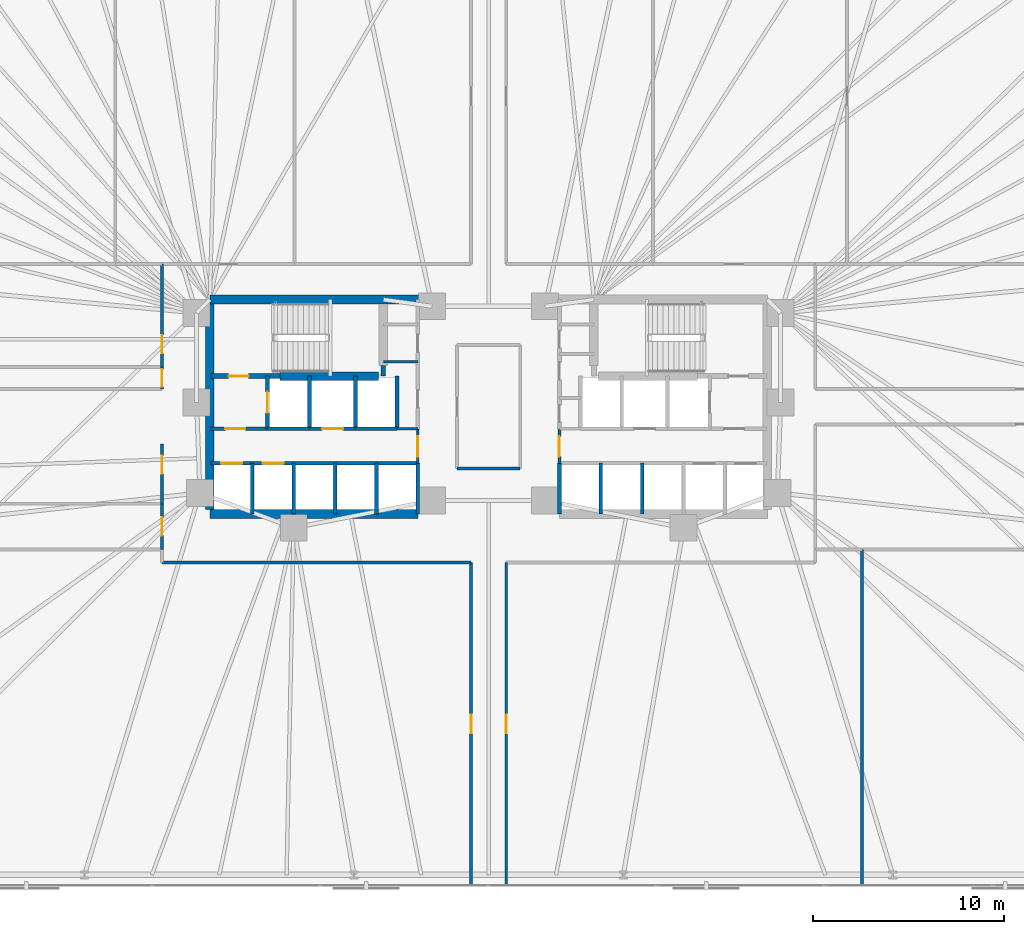
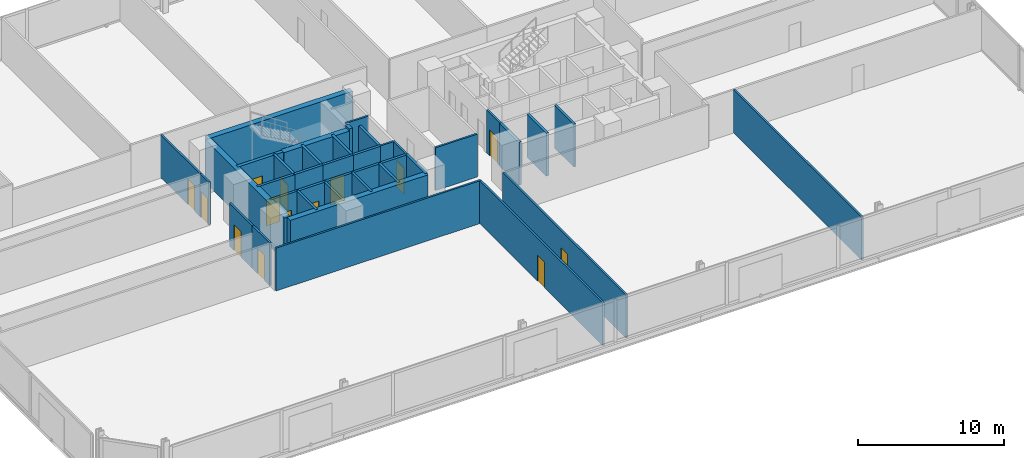
# One storey, part 12 of 16: 36 walls, 14 doors, 14 openings.
"""IFC4 building model written with IfcOpenShell, lengths in metres."""

from ifc_helpers import new_model, si_unit, direction, frame, frame_2d, origin, place, context, subcontext, project, spatial, rectangle, extrude, material, layer, layer_set, type_object, element, fill, save


model = new_model("IFC4")

# Units and contexts
model_context = context("Model", 3, precision=1e-05, world=origin(), true_north=direction((0.0, 1.0)))
body_context = subcontext(model_context, "Body", "Model", "MODEL_VIEW")
ifc_project = project(units=[si_unit("LENGTHUNIT", "METRE"), si_unit("AREAUNIT", "SQUARE_METRE"), si_unit("VOLUMEUNIT", "CUBIC_METRE"), si_unit("PLANEANGLEUNIT", "RADIAN"), si_unit("MASSUNIT", "GRAM", prefix="KILO")], contexts=[model_context])

# Site, building, storey
site_placement = place(None, origin())
site = spatial("IfcSite", under=ifc_project, at=site_placement, CompositionType="ELEMENT")
building_placement = place(site_placement, origin())
building = spatial("IfcBuilding", under=site, at=building_placement, Name="Menara Jurai Vektor", CompositionType="ELEMENT")
storey_placement = place(building_placement, frame((0.0, 0.0, 33.199951171875)))
storey = spatial("IfcBuildingStorey", under=building, at=storey_placement, Name="L07", CompositionType="ELEMENT", Elevation=33.199951171875)

# Wall, opening, door
ifc_material_1 = material(Name="Concrete C40/50", Category="concrete")
ifc_layer_1 = layer(ifc_material_1, 0.25)
ifc_layer_set_1 = layer_set([ifc_layer_1], Name="Concrete C40/50")
wall_type_1 = type_object("IfcWallType", Name="INT-WALL-CORE-250", PredefinedType="STANDARD", material=ifc_layer_set_1)
wall_1_placement = place(storey_placement, frame((-14.5, 1.60009765625, 0.0), z_axis=(0.0, 0.0, 1.0), x_axis=(1.0, 0.0, 0.0)))
wall_1 = element("IfcWall", 1, at=wall_1_placement, inside=storey, type_object=wall_type_1, Name="Interior Wall IW-250 L07", PredefinedType="STANDARD", context=body_context, shape_type="SweptSolid", body=[
    extrude(rectangle(XDim=3.60009765625, YDim=0.25, at=frame_2d((1.800048828125, 0.0))), origin(), (0.0, 0.0, 1.0), 3.574951171875),
])
opening_1_placement = place(wall_1_placement, frame((0.919921875, 0.0, 0.0)))
opening_1 = element("IfcOpeningElement", 2, at=opening_1_placement, cuts=wall_1, Name="Opening D-L07-ST1", PredefinedType="OPENING", context=body_context, shape_type="SweptSolid", body=[
    extrude(rectangle(XDim=1.050048828125, YDim=2.14990234375, at=frame_2d((0.52490234375, 1.074951171875))), frame((0.0, 0.135009765625, 0.0), z_axis=(0.0, -1.0, 0.0), x_axis=(1.0, 0.0, 0.0)), (0.0, 0.0, 1.0), 0.27001953125),
])
ifc_material_2 = material(Name="Fire-Rated Steel Door", Category="steel")
door_type_1 = type_object("IfcDoorType", Name="DR-STAIR-1050", OperationType="NOTDEFINED", PredefinedType="DOOR", material=ifc_material_2)
door_1_placement = place(opening_1_placement, origin())
door_1 = element("IfcDoor", 3, at=door_1_placement, inside=storey, type_object=door_type_1, Name="Exit Stair ST1 Door L07", OperationType="SINGLE_SWING_RIGHT", OverallHeight=2.14990234375, OverallWidth=1.050048828125, PredefinedType="DOOR", context=body_context, shape_type="SweptSolid", body=[
    extrude(rectangle(XDim=1.050048828125, YDim=2.14990234375, at=frame_2d((0.52490234375, 1.074951171875))), frame((0.0, 0.02490234375, 0.0), z_axis=(0.0, -1.0, 0.0), x_axis=(1.0, 0.0, 0.0)), (0.0, 0.0, 1.0), 0.050048828125),
])
fill(opening_1, door_1)

# Wall
wall_2_placement = place(storey_placement, frame((-5.5, 1.60009765625, 0.0), z_axis=(0.0, 0.0, 1.0), x_axis=(0.0, 1.0, 0.0)))
element("IfcWall", 4, at=wall_2_placement, inside=storey, type_object=wall_type_1, Name="Interior Wall IW-250 L07", PredefinedType="STANDARD", context=body_context, shape_type="SweptSolid", body=[
    extrude(rectangle(XDim=0.5498046875, YDim=0.25, at=frame_2d((0.27490234375, 0.0))), origin(), (0.0, 0.0, 1.0), 3.574951171875),
])

# Wall, opening, door
wall_3_placement = place(storey_placement, frame((-11.550048828125, -1.14990234375, 0.0), z_axis=(0.0, 0.0, 1.0), x_axis=(0.0, 1.0, 0.0)))
wall_3 = element("IfcWall", 5, at=wall_3_placement, inside=storey, type_object=wall_type_1, Name="Interior Wall IW-250 L07", PredefinedType="STANDARD", context=body_context, shape_type="SweptSolid", body=[
    extrude(rectangle(XDim=2.75, YDim=0.199951171875, at=frame_2d((1.375, 0.0))), origin(), (0.0, 0.0, 1.0), 3.574951171875),
])
opening_2_placement = place(wall_3_placement, frame((0.824951171875, 0.0, 0.0)))
opening_2 = element("IfcOpeningElement", 6, at=opening_2_placement, cuts=wall_3, Name="Opening LD-L07-FL1", PredefinedType="OPENING", context=body_context, shape_type="SweptSolid", body=[
    extrude(rectangle(XDim=1.10009765625, YDim=2.14990234375, at=frame_2d((0.550048828125, 1.074951171875))), frame((0.0, 0.10986328125, 0.0), z_axis=(0.0, -1.0, 0.0), x_axis=(1.0, 0.0, 0.0)), (0.0, 0.0, 1.0), 0.219970703125),
])
ifc_material_3 = material(Name="Stainless Steel Sliding Lift Landing Door", Category="steel")
door_type_2 = type_object("IfcDoorType", Name="DR-LIFT-FIRE-1100", OperationType="NOTDEFINED", PredefinedType="DOOR", material=ifc_material_3)
door_2_placement = place(opening_2_placement, origin())
door_2 = element("IfcDoor", 7, at=door_2_placement, inside=storey, type_object=door_type_2, Name="Lift Landing Door FL1 L07", OperationType="SLIDING_TO_RIGHT", OverallHeight=2.14990234375, OverallWidth=1.10009765625, PredefinedType="DOOR", context=body_context, shape_type="SweptSolid", body=[
    extrude(rectangle(XDim=1.10009765625, YDim=2.14990234375, at=frame_2d((0.550048828125, 1.074951171875))), frame((0.0, 0.02490234375, 0.0), z_axis=(0.0, -1.0, 0.0), x_axis=(1.0, 0.0, 0.0)), (0.0, 0.0, 1.0), 0.050048828125),
])
fill(opening_2, door_2)

# Wall
wall_4_placement = place(storey_placement, frame((-9.35009765625, -1.14990234375, 0.0), z_axis=(0.0, 0.0, 1.0), x_axis=(0.0, 1.0, 0.0)))
element("IfcWall", 8, at=wall_4_placement, inside=storey, type_object=wall_type_1, Name="Interior Wall IW-250 L07", PredefinedType="STANDARD", context=body_context, shape_type="SweptSolid", body=[
    extrude(rectangle(XDim=2.75, YDim=0.199951171875, at=frame_2d((1.375, 0.0))), origin(), (0.0, 0.0, 1.0), 3.574951171875),
])

# Wall, opening, door
wall_5_placement = place(storey_placement, frame((-14.5, -1.14990234375, 0.0), z_axis=(0.0, 0.0, 1.0), x_axis=(1.0, 0.0, 0.0)))
wall_5 = element("IfcWall", 9, at=wall_5_placement, inside=storey, type_object=wall_type_1, Name="Interior Wall IW-250 L07", PredefinedType="STANDARD", context=body_context, shape_type="SweptSolid", body=[
    extrude(rectangle(XDim=2.949951171875, YDim=0.199951171875, at=frame_2d((1.47509765625, 0.0))), origin(), (0.0, 0.0, 1.0), 3.574951171875),
])
opening_3_placement = place(wall_5_placement, frame((0.75, 0.0, 0.0)))
opening_3 = element("IfcOpeningElement", 10, at=opening_3_placement, cuts=wall_5, Name="Opening D-L07-FFW", PredefinedType="OPENING", context=body_context, shape_type="SweptSolid", body=[
    extrude(rectangle(XDim=1.050048828125, YDim=2.179931640625, at=frame_2d((0.52490234375, 1.08984375))), frame((0.0, 0.10986328125, 0.0), z_axis=(0.0, -1.0, 0.0), x_axis=(1.0, 0.0, 0.0)), (0.0, 0.0, 1.0), 0.219970703125),
])
ifc_material_4 = material(Name="Fire-Rated Timber Door", Category="wood")
door_type_3 = type_object("IfcDoorType", Name="DR-LOBBY-1050", OperationType="NOTDEFINED", PredefinedType="DOOR", material=ifc_material_4)
door_3_placement = place(opening_3_placement, origin())
door_3 = element("IfcDoor", 11, at=door_3_placement, inside=storey, type_object=door_type_3, Name="Fire Lift Lobby Door W L07", OperationType="SINGLE_SWING_RIGHT", OverallHeight=2.179931640625, OverallWidth=1.050048828125, PredefinedType="DOOR", context=body_context, shape_type="SweptSolid", body=[
    extrude(rectangle(XDim=1.050048828125, YDim=2.179931640625, at=frame_2d((0.52490234375, 1.08984375))), frame((0.0, 0.02490234375, 0.0), z_axis=(0.0, -1.0, 0.0), x_axis=(1.0, 0.0, 0.0)), (0.0, 0.0, 1.0), 0.050048828125),
])
fill(opening_3, door_3)

# Wall
wall_6_placement = place(storey_placement, frame((-11.550048828125, -1.14990234375, 0.0), z_axis=(0.0, 0.0, 1.0), x_axis=(1.0, 0.0, 0.0)))
element("IfcWall", 12, at=wall_6_placement, inside=storey, type_object=wall_type_1, Name="Interior Wall IW-250 L07", PredefinedType="STANDARD", context=body_context, shape_type="SweptSolid", body=[
    extrude(rectangle(XDim=2.199951171875, YDim=0.199951171875, at=frame_2d((1.10009765625, 0.0))), origin(), (0.0, 0.0, 1.0), 3.574951171875),
])

# Wall, opening, door
ifc_material_5 = material(Name="Gypsum Fireboard Partition", Category="gypsum")
ifc_layer_2 = layer(ifc_material_5, 0.14990234375)
ifc_layer_set_2 = layer_set([ifc_layer_2], Name="Gypsum Fireboard Partition")
wall_type_2 = type_object("IfcWallType", Name="INT-WALL-CORR-150", PredefinedType="PARTITIONING", material=ifc_layer_set_2)
wall_7_placement = place(storey_placement, frame((-3.699951171875, -2.949951171875, 0.0), z_axis=(0.0, 0.0, 1.0), x_axis=(0.0, 1.0, 0.0)))
wall_7 = element("IfcWall", 13, at=wall_7_placement, inside=storey, type_object=wall_type_2, Name="Interior Wall IW-150 L07", PredefinedType="PARTITIONING", context=body_context, shape_type="SweptSolid", body=[
    extrude(rectangle(XDim=1.800048828125, YDim=0.14990234375, at=frame_2d((0.89990234375, 0.0))), origin(), (0.0, 0.0, 1.0), 3.574951171875),
])
opening_4_placement = place(wall_7_placement, frame((0.35009765625, 0.0, 0.0)))
opening_4 = element("IfcOpeningElement", 14, at=opening_4_placement, cuts=wall_7, Name="Opening D-L07-LLW", PredefinedType="OPENING", context=body_context, shape_type="SweptSolid", body=[
    extrude(rectangle(XDim=1.050048828125, YDim=2.179931640625, at=frame_2d((0.52490234375, 1.08984375))), frame((0.0, 0.0849609375, 0.0), z_axis=(0.0, -1.0, 0.0), x_axis=(1.0, 0.0, 0.0)), (0.0, 0.0, 1.0), 0.169921875),
])
door_4_placement = place(opening_4_placement, origin())
door_4 = element("IfcDoor", 15, at=door_4_placement, inside=storey, type_object=door_type_3, Name="Lift Lobby Corridor Door W L07", OperationType="SINGLE_SWING_LEFT", OverallHeight=2.179931640625, OverallWidth=1.050048828125, PredefinedType="DOOR", context=body_context, shape_type="SweptSolid", body=[
    extrude(rectangle(XDim=1.050048828125, YDim=2.179931640625, at=frame_2d((0.52490234375, 1.08984375))), frame((0.0, 0.02490234375, 0.0), z_axis=(0.0, -1.0, 0.0), x_axis=(1.0, 0.0, 0.0)), (0.0, 0.0, 1.0), 0.050048828125),
])
fill(opening_4, door_4)

# Wall
wall_8_placement = place(storey_placement, frame((-4.7900390625, -1.14990234375, 0.0), z_axis=(0.0, 0.0, 1.0), x_axis=(1.0, 0.0, 0.0)))
element("IfcWall", 16, at=wall_8_placement, inside=storey, type_object=wall_type_2, Name="Interior Wall IW-150 L07", PredefinedType="PARTITIONING", context=body_context, shape_type="SweptSolid", body=[
    extrude(rectangle(XDim=1.090087890625, YDim=0.14990234375, at=frame_2d((0.544921875, 0.0))), origin(), (0.0, 0.0, 1.0), 3.574951171875),
])

# Wall, opening, door
wall_9_placement = place(storey_placement, frame((3.699951171875, -2.949951171875, 0.0), z_axis=(0.0, 0.0, 1.0), x_axis=(0.0, 1.0, 0.0)))
wall_9 = element("IfcWall", 17, at=wall_9_placement, inside=storey, type_object=wall_type_2, Name="Interior Wall IW-150 L07", PredefinedType="PARTITIONING", context=body_context, shape_type="SweptSolid", body=[
    extrude(rectangle(XDim=1.800048828125, YDim=0.14990234375, at=frame_2d((0.89990234375, 0.0))), origin(), (0.0, 0.0, 1.0), 3.574951171875),
])
opening_5_placement = place(wall_9_placement, frame((0.35009765625, 0.0, 0.0)))
opening_5 = element("IfcOpeningElement", 18, at=opening_5_placement, cuts=wall_9, Name="Opening D-L07-LLE", PredefinedType="OPENING", context=body_context, shape_type="SweptSolid", body=[
    extrude(rectangle(XDim=1.050048828125, YDim=2.179931640625, at=frame_2d((0.52490234375, 1.08984375))), frame((0.0, 0.0849609375, 0.0), z_axis=(0.0, -1.0, 0.0), x_axis=(1.0, 0.0, 0.0)), (0.0, 0.0, 1.0), 0.169921875),
])
door_5_placement = place(opening_5_placement, frame((1.050048828125, 0.0, 0.0), z_axis=(0.0, 0.0, 1.0), x_axis=(-1.0, 0.0, 0.0)))
door_5 = element("IfcDoor", 19, at=door_5_placement, inside=storey, type_object=door_type_3, Name="Lift Lobby Corridor Door E L07", OperationType="SINGLE_SWING_RIGHT", OverallHeight=2.179931640625, OverallWidth=1.050048828125, PredefinedType="DOOR", context=body_context, shape_type="SweptSolid", body=[
    extrude(rectangle(XDim=1.050048828125, YDim=2.179931640625, at=frame_2d((0.52490234375, 1.08984375))), frame((0.0, 0.02490234375, 0.0), z_axis=(0.0, -1.0, 0.0), x_axis=(1.0, 0.0, 0.0)), (0.0, 0.0, 1.0), 0.050048828125),
])
fill(opening_5, door_5)

# Walls
wall_10_placement = place(storey_placement, frame((-5.5, 2.35009765625, 0.0), z_axis=(0.0, 0.0, 1.0), x_axis=(1.0, 0.0, 0.0)))
element("IfcWall", 20, at=wall_10_placement, inside=storey, type_object=wall_type_2, Name="Interior Wall IW-150 L07", PredefinedType="PARTITIONING", context=body_context, shape_type="SweptSolid", body=[
    extrude(rectangle(XDim=1.800048828125, YDim=0.14990234375, at=frame_2d((0.89990234375, 0.0))), origin(), (0.0, 0.0, 1.0), 3.574951171875),
])
wall_11_placement = place(storey_placement, frame((-1.64990234375, -3.22998046875, 0.0), z_axis=(0.0, 0.0, 1.0), x_axis=(1.0, 0.0, 0.0)))
element("IfcWall", 21, at=wall_11_placement, inside=storey, type_object=wall_type_2, Name="Interior Wall IW-150 L07", PredefinedType="PARTITIONING", context=body_context, shape_type="SweptSolid", body=[
    extrude(rectangle(XDim=3.2998046875, YDim=0.14990234375, at=frame_2d((1.64990234375, 0.0))), origin(), (0.0, 0.0, 1.0), 3.574951171875),
])

# Wall, opening, door
wall_12_placement = place(storey_placement, frame((0.919921875, -25.0, 0.0), z_axis=(0.0, 0.0, 1.0), x_axis=(0.0, 1.0, 0.0)))
wall_12 = element("IfcWall", 22, at=wall_12_placement, inside=storey, type_object=wall_type_2, Name="Interior Wall IW-150 L07", PredefinedType="PARTITIONING", context=body_context, shape_type="SweptSolid", body=[
    extrude(rectangle(XDim=16.8701171875, YDim=0.14990234375, at=frame_2d((8.43505859375, 0.0))), origin(), (0.0, 0.0, 1.0), 3.574951171875),
])
opening_6_placement = place(wall_12_placement, frame((7.9599609375, 0.0, 0.0)))
opening_6 = element("IfcOpeningElement", 23, at=opening_6_placement, cuts=wall_12, Name="Opening D07-11", PredefinedType="OPENING", context=body_context, shape_type="SweptSolid", body=[
    extrude(rectangle(XDim=0.949951171875, YDim=2.14990234375, at=frame_2d((0.47509765625, 1.074951171875))), frame((0.0, 0.0849609375, 0.0), z_axis=(0.0, -1.0, 0.0), x_axis=(1.0, 0.0, 0.0)), (0.0, 0.0, 1.0), 0.169921875),
])
ifc_material_6 = material(Name="Solid Core Timber Fire Door", Category="wood")
door_type_4 = type_object("IfcDoorType", Name="DR-ENTRY-950", OperationType="NOTDEFINED", PredefinedType="DOOR", material=ifc_material_6)
door_6_placement = place(opening_6_placement, origin())
door_6 = element("IfcDoor", 24, at=door_6_placement, inside=storey, type_object=door_type_4, Name="Interior Door D07-11", OperationType="SINGLE_SWING_RIGHT", OverallHeight=2.14990234375, OverallWidth=0.949951171875, PredefinedType="DOOR", context=body_context, shape_type="SweptSolid", body=[
    extrude(rectangle(XDim=0.949951171875, YDim=2.14990234375, at=frame_2d((0.47509765625, 1.074951171875))), frame((0.0, 0.02490234375, 0.0), z_axis=(0.0, -1.0, 0.0), x_axis=(1.0, 0.0, 0.0)), (0.0, 0.0, 1.0), 0.050048828125),
])
fill(opening_6, door_6)

# Wall
wall_13_placement = place(storey_placement, frame((-17.05908203125, -8.1298828125, 0.0), z_axis=(0.0, 0.0, 1.0), x_axis=(1.0, 0.0, 0.0)))
element("IfcWall", 25, at=wall_13_placement, inside=storey, type_object=wall_type_2, Name="Interior Wall IW-150 L07", PredefinedType="PARTITIONING", context=body_context, shape_type="SweptSolid", body=[
    extrude(rectangle(XDim=16.13916015625, YDim=0.14990234375, at=frame_2d((8.069580078125, 0.0))), origin(), (0.0, 0.0, 1.0), 3.574951171875),
])

# Wall, opening, door
wall_14_placement = place(storey_placement, frame((-0.919921875, -25.0, 0.0), z_axis=(0.0, 0.0, 1.0), x_axis=(0.0, 1.0, 0.0)))
wall_14 = element("IfcWall", 26, at=wall_14_placement, inside=storey, type_object=wall_type_2, Name="Interior Wall IW-150 L07", PredefinedType="PARTITIONING", context=body_context, shape_type="SweptSolid", body=[
    extrude(rectangle(XDim=16.8701171875, YDim=0.14990234375, at=frame_2d((8.43505859375, 0.0))), origin(), (0.0, 0.0, 1.0), 3.574951171875),
])
opening_7_placement = place(wall_14_placement, frame((7.9599609375, 0.0, 0.0)))
opening_7 = element("IfcOpeningElement", 27, at=opening_7_placement, cuts=wall_14, Name="Opening D07-12", PredefinedType="OPENING", context=body_context, shape_type="SweptSolid", body=[
    extrude(rectangle(XDim=0.949951171875, YDim=2.14990234375, at=frame_2d((0.47509765625, 1.074951171875))), frame((0.0, 0.0849609375, 0.0), z_axis=(0.0, -1.0, 0.0), x_axis=(1.0, 0.0, 0.0)), (0.0, 0.0, 1.0), 0.169921875),
])
door_7_placement = place(opening_7_placement, origin())
door_7 = element("IfcDoor", 28, at=door_7_placement, inside=storey, type_object=door_type_4, Name="Interior Door D07-12", OperationType="SINGLE_SWING_LEFT", OverallHeight=2.14990234375, OverallWidth=0.949951171875, PredefinedType="DOOR", context=body_context, shape_type="SweptSolid", body=[
    extrude(rectangle(XDim=0.949951171875, YDim=2.14990234375, at=frame_2d((0.47509765625, 1.074951171875))), frame((0.0, 0.02490234375, 0.0), z_axis=(0.0, -1.0, 0.0), x_axis=(1.0, 0.0, 0.0)), (0.0, 0.0, 1.0), 0.050048828125),
])
fill(opening_7, door_7)

wall_15_placement = place(storey_placement, frame((-17.05908203125, -7.449951171875, 0.0), z_axis=(0.0, 0.0, 1.0), x_axis=(0.0, 1.0, 0.0)))
wall_15 = element("IfcWall", 29, at=wall_15_placement, inside=storey, type_object=wall_type_2, Name="Interior Wall IW-150 L07", PredefinedType="PARTITIONING", context=body_context, shape_type="SweptSolid", body=[
    extrude(rectangle(XDim=2.384033203125, YDim=0.14990234375, at=frame_2d((1.19189453125, 0.0))), origin(), (0.0, 0.0, 1.0), 3.574951171875),
])
opening_8_placement = place(wall_15_placement, frame((0.717041015625, 0.0, 0.0)))
opening_8 = element("IfcOpeningElement", 30, at=opening_8_placement, cuts=wall_15, Name="Opening D07-13", PredefinedType="OPENING", context=body_context, shape_type="SweptSolid", body=[
    extrude(rectangle(XDim=0.949951171875, YDim=2.14990234375, at=frame_2d((0.47509765625, 1.074951171875))), frame((0.0, 0.0849609375, 0.0), z_axis=(0.0, -1.0, 0.0), x_axis=(1.0, 0.0, 0.0)), (0.0, 0.0, 1.0), 0.169921875),
])
door_8_placement = place(opening_8_placement, origin())
door_8 = element("IfcDoor", 31, at=door_8_placement, inside=storey, type_object=door_type_4, Name="Interior Door D07-13", OperationType="SINGLE_SWING_RIGHT", OverallHeight=2.14990234375, OverallWidth=0.949951171875, PredefinedType="DOOR", context=body_context, shape_type="SweptSolid", body=[
    extrude(rectangle(XDim=0.949951171875, YDim=2.14990234375, at=frame_2d((0.47509765625, 1.074951171875))), frame((0.0, 0.02490234375, 0.0), z_axis=(0.0, -1.0, 0.0), x_axis=(1.0, 0.0, 0.0)), (0.0, 0.0, 1.0), 0.050048828125),
])
fill(opening_8, door_8)

wall_16_placement = place(storey_placement, frame((-17.05908203125, -5.06591796875, 0.0), z_axis=(0.0, 0.0, 1.0), x_axis=(0.0, 1.0, 0.0)))
wall_16 = element("IfcWall", 32, at=wall_16_placement, inside=storey, type_object=wall_type_2, Name="Interior Wall IW-150 L07", PredefinedType="PARTITIONING", context=body_context, shape_type="SweptSolid", body=[
    extrude(rectangle(XDim=3.12890625, YDim=0.14990234375, at=frame_2d((1.564453125, 0.0))), origin(), (0.0, 0.0, 1.0), 3.574951171875),
])
opening_9_placement = place(wall_16_placement, frame((1.558837890625, 0.0, 0.0)))
opening_9 = element("IfcOpeningElement", 33, at=opening_9_placement, cuts=wall_16, Name="Opening D07-14", PredefinedType="OPENING", context=body_context, shape_type="SweptSolid", body=[
    extrude(rectangle(XDim=0.949951171875, YDim=2.14990234375, at=frame_2d((0.47509765625, 1.074951171875))), frame((0.0, 0.0849609375, 0.0), z_axis=(0.0, -1.0, 0.0), x_axis=(1.0, 0.0, 0.0)), (0.0, 0.0, 1.0), 0.169921875),
])
door_9_placement = place(opening_9_placement, origin())
door_9 = element("IfcDoor", 34, at=door_9_placement, inside=storey, type_object=door_type_4, Name="Interior Door D07-14", OperationType="SINGLE_SWING_LEFT", OverallHeight=2.14990234375, OverallWidth=0.949951171875, PredefinedType="DOOR", context=body_context, shape_type="SweptSolid", body=[
    extrude(rectangle(XDim=0.949951171875, YDim=2.14990234375, at=frame_2d((0.47509765625, 1.074951171875))), frame((0.0, 0.02490234375, 0.0), z_axis=(0.0, -1.0, 0.0), x_axis=(1.0, 0.0, 0.0)), (0.0, 0.0, 1.0), 0.050048828125),
])
fill(opening_9, door_9)

wall_17_placement = place(storey_placement, frame((-17.05908203125, 0.919921875, 0.0), z_axis=(0.0, 0.0, 1.0), x_axis=(0.0, 1.0, 0.0)))
wall_17 = element("IfcWall", 35, at=wall_17_placement, inside=storey, type_object=wall_type_2, Name="Interior Wall IW-150 L07", PredefinedType="PARTITIONING", context=body_context, shape_type="SweptSolid", body=[
    extrude(rectangle(XDim=1.166015625, YDim=0.14990234375, at=frame_2d((0.5830078125, 0.0))), origin(), (0.0, 0.0, 1.0), 3.574951171875),
])
opening_10_placement = place(wall_17_placement, frame((0.1201171875, 0.0, 0.0)))
opening_10 = element("IfcOpeningElement", 36, at=opening_10_placement, cuts=wall_17, Name="Opening D07-15", PredefinedType="OPENING", context=body_context, shape_type="SweptSolid", body=[
    extrude(rectangle(XDim=0.926025390625, YDim=2.14990234375, at=frame_2d((0.462890625, 1.074951171875))), frame((0.0, 0.0849609375, 0.0), z_axis=(0.0, -1.0, 0.0), x_axis=(1.0, 0.0, 0.0)), (0.0, 0.0, 1.0), 0.169921875),
])
door_10_placement = place(opening_10_placement, origin())
door_10 = element("IfcDoor", 37, at=door_10_placement, inside=storey, type_object=door_type_4, Name="Interior Door D07-15", OperationType="SINGLE_SWING_RIGHT", OverallHeight=2.14990234375, OverallWidth=0.926025390625, PredefinedType="DOOR", context=body_context, shape_type="SweptSolid", body=[
    extrude(rectangle(XDim=0.926025390625, YDim=2.14990234375, at=frame_2d((0.462890625, 1.074951171875))), frame((0.0, 0.02490234375, 0.0), z_axis=(0.0, -1.0, 0.0), x_axis=(1.0, 0.0, 0.0)), (0.0, 0.0, 1.0), 0.050048828125),
])
fill(opening_10, door_10)

wall_18_placement = place(storey_placement, frame((-17.05908203125, 2.0859375, 0.0), z_axis=(0.0, 0.0, 1.0), x_axis=(0.0, 1.0, 0.0)))
wall_18 = element("IfcWall", 38, at=wall_18_placement, inside=storey, type_object=wall_type_2, Name="Interior Wall IW-150 L07", PredefinedType="PARTITIONING", context=body_context, shape_type="SweptSolid", body=[
    extrude(rectangle(XDim=5.364013671875, YDim=0.14990234375, at=frame_2d((2.68212890625, 0.0))), origin(), (0.0, 0.0, 1.0), 3.574951171875),
])
opening_11_placement = place(wall_18_placement, frame((0.705078125, 0.0, 0.0)))
opening_11 = element("IfcOpeningElement", 39, at=opening_11_placement, cuts=wall_18, Name="Opening D07-16", PredefinedType="OPENING", context=body_context, shape_type="SweptSolid", body=[
    extrude(rectangle(XDim=0.949951171875, YDim=2.14990234375, at=frame_2d((0.47509765625, 1.074951171875))), frame((0.0, 0.0849609375, 0.0), z_axis=(0.0, -1.0, 0.0), x_axis=(1.0, 0.0, 0.0)), (0.0, 0.0, 1.0), 0.169921875),
])
door_11_placement = place(opening_11_placement, origin())
door_11 = element("IfcDoor", 40, at=door_11_placement, inside=storey, type_object=door_type_4, Name="Interior Door D07-16", OperationType="SINGLE_SWING_LEFT", OverallHeight=2.14990234375, OverallWidth=0.949951171875, PredefinedType="DOOR", context=body_context, shape_type="SweptSolid", body=[
    extrude(rectangle(XDim=0.949951171875, YDim=2.14990234375, at=frame_2d((0.47509765625, 1.074951171875))), frame((0.0, 0.02490234375, 0.0), z_axis=(0.0, -1.0, 0.0), x_axis=(1.0, 0.0, 0.0)), (0.0, 0.0, 1.0), 0.050048828125),
])
fill(opening_11, door_11)

# Walls
wall_19_placement = place(storey_placement, frame((19.5, -25.0, 0.0), z_axis=(0.0, 0.0, 1.0), x_axis=(0.0, 1.0, 0.0)))
element("IfcWall", 41, at=wall_19_placement, inside=storey, type_object=wall_type_2, Name="Interior Wall IW-150 L07", PredefinedType="PARTITIONING", context=body_context, shape_type="SweptSolid", body=[
    extrude(rectangle(XDim=17.550048828125, YDim=0.14990234375, at=frame_2d((8.77490234375, 0.0))), origin(), (0.0, 0.0, 1.0), 3.574951171875),
])
ifc_layer_3 = layer(ifc_material_1, 0.199951171875)
ifc_layer_set_3 = layer_set([ifc_layer_3], Name="Concrete C40/50")
wall_type_3 = type_object("IfcWallType", Name="INT-WALL-SHAFT-200", PredefinedType="STANDARD", material=ifc_layer_set_3)
wall_20_placement = place(storey_placement, frame((-3.699951171875, -5.60009765625, 0.0), z_axis=(0.0, 0.0, 1.0), x_axis=(0.0, 1.0, 0.0)))
element("IfcWall", 42, at=wall_20_placement, inside=storey, type_object=wall_type_3, Name="Interior Wall IW-200 L07", PredefinedType="STANDARD", context=body_context, shape_type="SweptSolid", body=[
    extrude(rectangle(XDim=2.650146484375, YDim=0.199951171875, at=frame_2d((1.3251953125, 0.0))), origin(), (0.0, 0.0, 1.0), 3.574951171875),
])
wall_21_placement = place(storey_placement, frame((-6.949951171875, -1.14990234375, 0.0), z_axis=(0.0, 0.0, 1.0), x_axis=(0.0, 1.0, 0.0)))
element("IfcWall", 43, at=wall_21_placement, inside=storey, type_object=wall_type_3, Name="Interior Wall IW-200 L07", PredefinedType="STANDARD", context=body_context, shape_type="SweptSolid", body=[
    extrude(rectangle(XDim=2.75, YDim=0.199951171875, at=frame_2d((1.375, 0.0))), origin(), (0.0, 0.0, 1.0), 3.574951171875),
])

# Wall, opening, door
wall_22_placement = place(storey_placement, frame((-9.35009765625, -1.14990234375, 0.0), z_axis=(0.0, 0.0, 1.0), x_axis=(1.0, 0.0, 0.0)))
wall_22 = element("IfcWall", 44, at=wall_22_placement, inside=storey, type_object=wall_type_3, Name="Interior Wall IW-200 L07", PredefinedType="STANDARD", context=body_context, shape_type="SweptSolid", body=[
    extrude(rectangle(XDim=2.400146484375, YDim=0.199951171875, at=frame_2d((1.2001953125, 0.0))), origin(), (0.0, 0.0, 1.0), 3.574951171875),
])
opening_12_placement = place(wall_22_placement, frame((0.64990234375, 0.0, 0.0)))
opening_12 = element("IfcOpeningElement", 45, at=opening_12_placement, cuts=wall_22, Name="Opening LD-L07-SVL1", PredefinedType="OPENING", context=body_context, shape_type="SweptSolid", body=[
    extrude(rectangle(XDim=1.10009765625, YDim=2.14990234375, at=frame_2d((0.550048828125, 1.074951171875))), frame((0.0, 0.10986328125, 0.0), z_axis=(0.0, -1.0, 0.0), x_axis=(1.0, 0.0, 0.0)), (0.0, 0.0, 1.0), 0.219970703125),
])
ifc_material_7 = material(Name="Anodised Stainless Sliding Lift Landing Door", Category="steel")
door_type_5 = type_object("IfcDoorType", Name="DR-LIFT-PASS-1100", OperationType="NOTDEFINED", PredefinedType="DOOR", material=ifc_material_7)
door_12_placement = place(opening_12_placement, origin())
door_12 = element("IfcDoor", 46, at=door_12_placement, inside=storey, type_object=door_type_5, Name="Lift Landing Door SVL1 L07", OperationType="SLIDING_TO_RIGHT", OverallHeight=2.14990234375, OverallWidth=1.10009765625, PredefinedType="DOOR", context=body_context, shape_type="SweptSolid", body=[
    extrude(rectangle(XDim=1.10009765625, YDim=2.14990234375, at=frame_2d((0.550048828125, 1.074951171875))), frame((0.0, 0.02490234375, 0.0), z_axis=(0.0, -1.0, 0.0), x_axis=(1.0, 0.0, 0.0)), (0.0, 0.0, 1.0), 0.050048828125),
])
fill(opening_12, door_12)

# Walls
wall_23_placement = place(storey_placement, frame((-4.7900390625, -1.14990234375, 0.0), z_axis=(0.0, 0.0, 1.0), x_axis=(0.0, 1.0, 0.0)))
element("IfcWall", 47, at=wall_23_placement, inside=storey, type_object=wall_type_3, Name="Interior Wall IW-200 L07", PredefinedType="STANDARD", context=body_context, shape_type="SweptSolid", body=[
    extrude(rectangle(XDim=2.75, YDim=0.199951171875, at=frame_2d((1.375, 0.0))), origin(), (0.0, 0.0, 1.0), 3.574951171875),
])
wall_24_placement = place(storey_placement, frame((-6.949951171875, -1.14990234375, 0.0), z_axis=(0.0, 0.0, 1.0), x_axis=(1.0, 0.0, 0.0)))
element("IfcWall", 48, at=wall_24_placement, inside=storey, type_object=wall_type_3, Name="Interior Wall IW-200 L07", PredefinedType="STANDARD", context=body_context, shape_type="SweptSolid", body=[
    extrude(rectangle(XDim=2.159912109375, YDim=0.199951171875, at=frame_2d((1.080078125, 0.0))), origin(), (0.0, 0.0, 1.0), 3.574951171875),
])

# Wall, openings, doors
wall_25_placement = place(storey_placement, frame((-14.5, -2.949951171875, 0.0), z_axis=(0.0, 0.0, 1.0), x_axis=(1.0, 0.0, 0.0)))
wall_25 = element("IfcWall", 49, at=wall_25_placement, inside=storey, type_object=wall_type_3, Name="Interior Wall IW-200 L07", PredefinedType="STANDARD", context=body_context, shape_type="SweptSolid", body=[
    extrude(rectangle(XDim=10.800048828125, YDim=0.199951171875, at=frame_2d((5.39990234375, 0.0))), origin(), (0.0, 0.0, 1.0), 3.574951171875),
])
opening_13_placement = place(wall_25_placement, frame((0.530029296875, 0.0, 0.0)))
opening_13 = element("IfcOpeningElement", 50, at=opening_13_placement, cuts=wall_25, Name="Opening LD-L07-PL1", PredefinedType="OPENING", context=body_context, shape_type="SweptSolid", body=[
    extrude(rectangle(XDim=1.10009765625, YDim=2.14990234375, at=frame_2d((0.550048828125, 1.074951171875))), frame((0.0, 0.10986328125, 0.0), z_axis=(0.0, -1.0, 0.0), x_axis=(1.0, 0.0, 0.0)), (0.0, 0.0, 1.0), 0.219970703125),
])
opening_14_placement = place(wall_25_placement, frame((2.68994140625, 0.0, 0.0)))
opening_14 = element("IfcOpeningElement", 51, at=opening_14_placement, cuts=wall_25, Name="Opening LD-L07-PL2", PredefinedType="OPENING", context=body_context, shape_type="SweptSolid", body=[
    extrude(rectangle(XDim=1.10009765625, YDim=2.14990234375, at=frame_2d((0.550048828125, 1.074951171875))), frame((0.0, 0.10986328125, 0.0), z_axis=(0.0, -1.0, 0.0), x_axis=(1.0, 0.0, 0.0)), (0.0, 0.0, 1.0), 0.219970703125),
])
door_13_placement = place(opening_13_placement, origin())
door_13 = element("IfcDoor", 52, at=door_13_placement, inside=storey, type_object=door_type_5, Name="Lift Landing Door PL1 L07", OperationType="SLIDING_TO_RIGHT", OverallHeight=2.14990234375, OverallWidth=1.10009765625, PredefinedType="DOOR", context=body_context, shape_type="SweptSolid", body=[
    extrude(rectangle(XDim=1.10009765625, YDim=2.14990234375, at=frame_2d((0.550048828125, 1.074951171875))), frame((0.0, 0.02490234375, 0.0), z_axis=(0.0, -1.0, 0.0), x_axis=(1.0, 0.0, 0.0)), (0.0, 0.0, 1.0), 0.050048828125),
])
fill(opening_13, door_13)
door_14_placement = place(opening_14_placement, origin())
door_14 = element("IfcDoor", 53, at=door_14_placement, inside=storey, type_object=door_type_5, Name="Lift Landing Door PL2 L07", OperationType="SLIDING_TO_RIGHT", OverallHeight=2.14990234375, OverallWidth=1.10009765625, PredefinedType="DOOR", context=body_context, shape_type="SweptSolid", body=[
    extrude(rectangle(XDim=1.10009765625, YDim=2.14990234375, at=frame_2d((0.550048828125, 1.074951171875))), frame((0.0, 0.02490234375, 0.0), z_axis=(0.0, -1.0, 0.0), x_axis=(1.0, 0.0, 0.0)), (0.0, 0.0, 1.0), 0.050048828125),
])
fill(opening_14, door_14)

# Walls
wall_26_placement = place(storey_placement, frame((-5.860107421875, -5.60009765625, 0.0), z_axis=(0.0, 0.0, 1.0), x_axis=(0.0, 1.0, 0.0)))
element("IfcWall", 54, at=wall_26_placement, inside=storey, type_object=wall_type_3, Name="Interior Wall IW-200 L07", PredefinedType="STANDARD", context=body_context, shape_type="SweptSolid", body=[
    extrude(rectangle(XDim=2.650146484375, YDim=0.199951171875, at=frame_2d((1.3251953125, 0.0))), origin(), (0.0, 0.0, 1.0), 3.574951171875),
])
for number, where, z_axis, x_axis, name in (
    (55, (-12.340087890625, -5.60009765625, 0.0), (0.0, 0.0, 1.0), (0.0, 1.0, 0.0), "Interior Wall IW-200 L07"),
    (56, (-10.179931640625, -5.60009765625, 0.0), (0.0, 0.0, 1.0), (0.0, 1.0, 0.0), "Interior Wall IW-200 L07"),
    (57, (-8.02001953125, -5.60009765625, 0.0), (0.0, 0.0, 1.0), (0.0, 1.0, 0.0), "Interior Wall IW-200 L07"),
):
    element("IfcWall", number, at=place(storey_placement, frame(where, z_axis=z_axis, x_axis=x_axis)), inside=storey, type_object=wall_type_3, Name=name, PredefinedType="STANDARD", context=body_context, shape_type="SweptSolid", body=[
        extrude(rectangle(XDim=2.650146484375, YDim=0.179931640625, at=frame_2d((1.3251953125, 0.0))), origin(), (0.0, 0.0, 1.0), 3.574951171875),
    ])
for number, where, z_axis, x_axis, name in (
    (58, (3.699951171875, -5.60009765625, 0.0), (0.0, 0.0, 1.0), (0.0, 1.0, 0.0), "Interior Wall IW-200 L07"),
    (59, (5.860107421875, -5.60009765625, 0.0), (0.0, 0.0, 1.0), (0.0, 1.0, 0.0), "Interior Wall IW-200 L07"),
):
    element("IfcWall", number, at=place(storey_placement, frame(where, z_axis=z_axis, x_axis=x_axis)), inside=storey, type_object=wall_type_3, Name=name, PredefinedType="STANDARD", context=body_context, shape_type="SweptSolid", body=[
        extrude(rectangle(XDim=2.650146484375, YDim=0.199951171875, at=frame_2d((1.3251953125, 0.0))), origin(), (0.0, 0.0, 1.0), 3.574951171875),
    ])
wall_27_placement = place(storey_placement, frame((8.02001953125, -5.60009765625, 0.0), z_axis=(0.0, 0.0, 1.0), x_axis=(0.0, 1.0, 0.0)))
element("IfcWall", 60, at=wall_27_placement, inside=storey, type_object=wall_type_3, Name="Interior Wall IW-200 L07", PredefinedType="STANDARD", context=body_context, shape_type="SweptSolid", body=[
    extrude(rectangle(XDim=2.650146484375, YDim=0.179931640625, at=frame_2d((1.3251953125, 0.0))), origin(), (0.0, 0.0, 1.0), 3.574951171875),
])
ifc_material_8 = material(Name="Concrete C60/75", Category="concrete")
ifc_layer_4 = layer(ifc_material_8, 0.449951171875)
ifc_layer_set_4 = layer_set([ifc_layer_4], Name="Concrete C60/75")
wall_type_4 = type_object("IfcWallType", Name="STR-WALL-CORE450", PredefinedType="SHEAR", material=ifc_layer_set_4)
wall_28_placement = place(storey_placement, frame((-14.56005859375, 5.60009765625, 0.0), z_axis=(0.0, 0.0, 1.0), x_axis=(1.0, 0.0, 0.0)))
element("IfcWall", 61, at=wall_28_placement, inside=storey, type_object=wall_type_4, Name="Core Shear Wall CW-W-N L07", PredefinedType="SHEAR", context=body_context, shape_type="SweptSolid", body=[
    extrude(rectangle(XDim=11.41015625, YDim=0.449951171875, at=frame_2d((5.705078125, 0.0))), origin(), (0.0, 0.0, 1.0), 3.574951171875),
])
wall_29_placement = place(storey_placement, frame((-14.56005859375, -5.60009765625, 0.0), z_axis=(0.0, 0.0, 1.0), x_axis=(1.0, 0.0, 0.0)))
element("IfcWall", 62, at=wall_29_placement, inside=storey, type_object=wall_type_4, Name="Core Shear Wall CW-W-S L07", PredefinedType="SHEAR", context=body_context, shape_type="SweptSolid", body=[
    extrude(rectangle(XDim=10.860107421875, YDim=0.449951171875, at=frame_2d((5.43017578125, 0.0))), origin(), (0.0, 0.0, 1.0), 3.574951171875),
])
wall_30_placement = place(storey_placement, frame((-14.56005859375, -5.375, 0.0), z_axis=(0.0, 0.0, 1.0), x_axis=(0.0, 1.0, 0.0)))
element("IfcWall", 63, at=wall_30_placement, inside=storey, type_object=wall_type_4, Name="Core Shear Wall CW-W-W L07", PredefinedType="SHEAR", context=body_context, shape_type="SweptSolid", body=[
    extrude(rectangle(XDim=10.75, YDim=0.449951171875, at=frame_2d((5.375, 0.0))), origin(), (0.0, 0.0, 1.0), 3.574951171875),
])
wall_31_placement = place(storey_placement, frame((-10.89990234375, 1.60009765625, 0.0), z_axis=(0.0, 0.0, 1.0), x_axis=(1.0, 0.0, 0.0)))
element("IfcWall", 64, at=wall_31_placement, inside=storey, type_object=wall_type_4, Name="Core Shear Wall CW-W-STS L07", PredefinedType="SHEAR", context=body_context, shape_type="SweptSolid", body=[
    extrude(rectangle(XDim=5.14990234375, YDim=0.449951171875, at=frame_2d((2.574951171875, 0.0))), origin(), (0.0, 0.0, 1.0), 3.574951171875),
])

save(model, "model.ifc")
